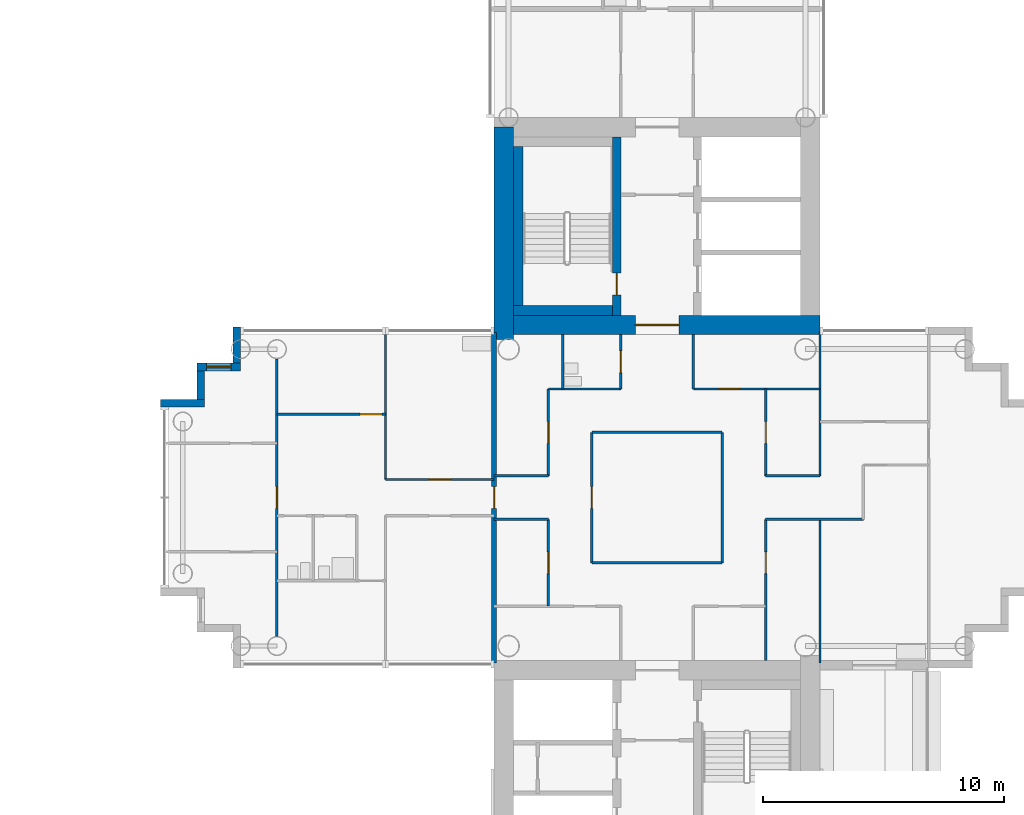
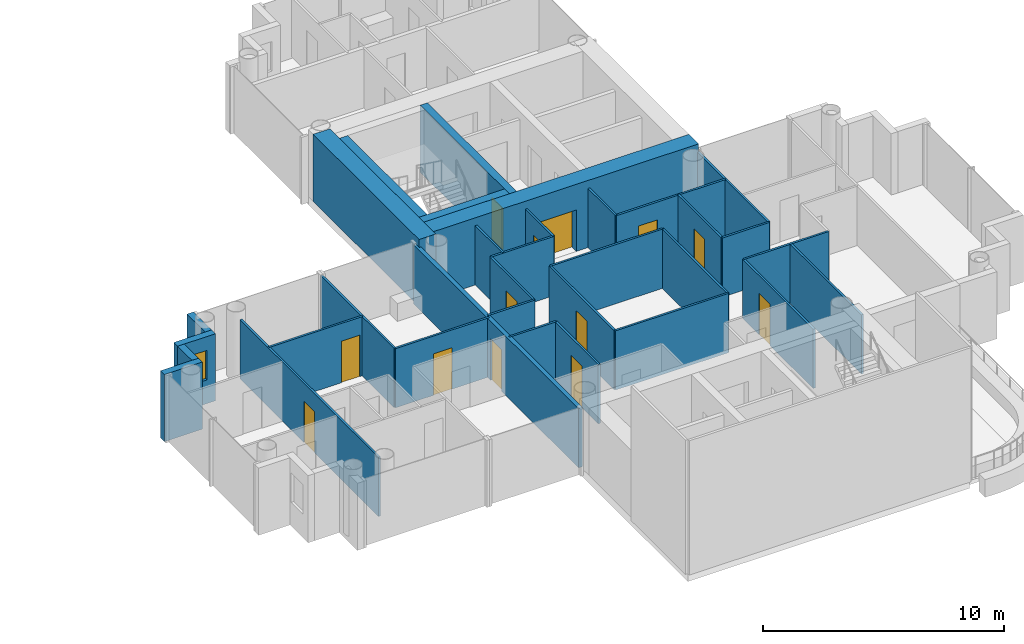
# One storey, part 11 of 20: 33 walls, 13 doors, 1 window, 14 openings.
"""IFC4 building model written with IfcOpenShell, lengths in metres."""

import ifcopenshell
import ifcopenshell.guid

model = None  # the IFC model being written
_history = None  # IfcOwnerHistory: only IFC2X3 demands one
_inside = {}  # id of a spatial element -> (the spatial element, [elements in it])
_under = {}  # id of a project, library or spatial element -> (it, [spatial elements below it])
_declared = {}  # id of a project -> (the project, [libraries it declares])
_typed = {}  # id of a type object -> (the type object, [elements of that type])
_made_of = {}  # id of a material, layer set ... -> (it, [elements and type objects made of it])


def new_model(schema):
    """Start an empty IFC model of exactly this schema.

    Asked for "IFC4X3", IfcOpenShell would pick the latest addendum, in which some entities
    have other attributes; the version numbers below select the first issue.
    IFC2X3 requires an IfcOwnerHistory on every rooted entity: one is made here for all.
    """
    global model, _history
    if schema == "IFC4X3":
        model = ifcopenshell.file(schema_version=(4, 3, 0, 0))
    else:
        model = ifcopenshell.file(schema=schema)
    _inside.clear()
    _under.clear()
    _declared.clear()
    _typed.clear()
    _made_of.clear()
    _history = None
    if model.schema == "IFC2X3":
        org = make("IfcOrganization", Name="unknown")
        user = make(
            "IfcPersonAndOrganization",
            ThePerson=make("IfcPerson", FamilyName="unknown"),
            TheOrganization=org,
        )
        app = make(
            "IfcApplication",
            ApplicationDeveloper=org,
            Version="unknown",
            ApplicationFullName="unknown",
            ApplicationIdentifier="unknown",
        )
        _history = make(
            "IfcOwnerHistory",
            OwningUser=user,
            OwningApplication=app,
            ChangeAction="ADDED",
            CreationDate=0,
        )
    return model


def make(cls, **values):
    """One entity of the class cls with the attributes given. An attribute that is None is left unset."""
    return model.create_entity(
        cls, **{name: value for name, value in values.items() if value is not None}
    )


def rooted(cls, **values):
    """An entity with a GlobalId (a new one), such as an element, a storey or a relation."""
    return make(cls, GlobalId=ifcopenshell.guid.new(), OwnerHistory=_history, **values)


def si_unit(unit_type, name, prefix=None):
    """IfcSIUnit, for example si_unit("LENGTHUNIT", "METRE", prefix="MILLI")."""
    return make("IfcSIUnit", UnitType=unit_type, Prefix=prefix, Name=name)


def assignment(units):
    """IfcUnitAssignment: the units of a project."""
    return None if units is None else make("IfcUnitAssignment", Units=units)


def point(xyz):
    """IfcCartesianPoint."""
    return None if xyz is None else make("IfcCartesianPoint", Coordinates=xyz)


def direction(xyz):
    """IfcDirection."""
    return None if xyz is None else make("IfcDirection", DirectionRatios=xyz)


def frame(location, z_axis=None, x_axis=None):
    """IfcAxis2Placement3D, a coordinate frame: its origin and axes. An axis left out is left unset."""
    return make(
        "IfcAxis2Placement3D",
        Location=point(location),
        Axis=direction(z_axis),
        RefDirection=direction(x_axis),
    )


def frame_2d(location, x_axis=None):
    """IfcAxis2Placement2D, a coordinate frame in the plane: its origin and x axis."""
    return make(
        "IfcAxis2Placement2D", Location=point(location), RefDirection=direction(x_axis)
    )


def origin():
    """The frame at (0, 0, 0) with its axes left unset."""
    return frame((0.0, 0.0, 0.0))


def place(relative_to, where):
    """IfcLocalPlacement: puts the frame where relative to a parent placement (None: the world)."""
    return make(
        "IfcLocalPlacement", PlacementRelTo=relative_to, RelativePlacement=where
    )


def context(
    kind, dimensions, precision=None, world=None, true_north=None, identifier=None
):
    """IfcGeometricRepresentationContext, for example the 3D "Model" context."""
    return make(
        "IfcGeometricRepresentationContext",
        ContextIdentifier=identifier,
        ContextType=kind,
        CoordinateSpaceDimension=dimensions,
        Precision=precision,
        WorldCoordinateSystem=world,
        TrueNorth=true_north,
    )


def subcontext(parent, identifier, kind, view, scale=None):
    """IfcGeometricRepresentationSubContext, for example "Body" below "Model"."""
    return make(
        "IfcGeometricRepresentationSubContext",
        ContextIdentifier=identifier,
        ContextType=kind,
        ParentContext=parent,
        TargetScale=scale,
        TargetView=view,
    )


def project(units=None, contexts=None):
    """IfcProject with its units and contexts."""
    return rooted(
        "IfcProject",
        Name="project",
        RepresentationContexts=contexts,
        UnitsInContext=assignment(units),
    )


def spatial(cls, under=None, at=None, **own):
    """A site, building, storey or space (cls), placed at a placement, below another one or the project."""
    s = rooted(cls, ObjectPlacement=at, **own)
    if under is not None:
        _under.setdefault(under.id(), (under, []))[1].append(s)
    return s


def profile(cls, at=None, kind="AREA", **sizes):
    """A parametric profile (cls). Its sizes go by their IFC names, for example OverallWidth=200.0."""
    return make(cls, ProfileType=kind, Position=at, **sizes)


def rectangle(**sizes):
    """IfcRectangleProfileDef."""
    return profile("IfcRectangleProfileDef", **sizes)


def extrude(swept, where, along, depth):
    """IfcExtrudedAreaSolid: the profile swept, set in the frame where, extruded along a direction by depth."""
    return make(
        "IfcExtrudedAreaSolid",
        SweptArea=swept,
        Position=where,
        ExtrudedDirection=direction(along),
        Depth=depth,
    )


def shape(context_of_items, identifier, shape_type, items):
    """IfcShapeRepresentation: the items that make up one representation, for example the "Body"."""
    return make(
        "IfcShapeRepresentation",
        ContextOfItems=context_of_items,
        RepresentationIdentifier=identifier,
        RepresentationType=shape_type,
        Items=items,
    )


def material(Name=None, Category=None):
    """IfcMaterial."""
    return make("IfcMaterial", Name=Name, Category=Category)


def layer(
    of_material, thickness, ventilated=None, Name=None, Category=None, Priority=None
):
    """IfcMaterialLayer: one layer of a wall or slab, of a material (None: an air gap)."""
    return make(
        "IfcMaterialLayer",
        Material=of_material,
        LayerThickness=thickness,
        IsVentilated=ventilated,
        Name=Name,
        Category=Category,
        Priority=Priority,
    )


def layer_set(layers, Name=None):
    """IfcMaterialLayerSet."""
    return make("IfcMaterialLayerSet", MaterialLayers=layers, LayerSetName=Name)


def made_of(thing, what):
    """Note that an element or type object is made of a material, layer set ...; save() writes the relation."""
    if what is not None:
        _made_of.setdefault(what.id(), (what, []))[1].append(thing)
    return thing


def type_object(cls, material=None, **own):
    """A type object (cls), such as IfcWallType, which elements share."""
    return made_of(rooted(cls, **own), material)


def element(
    cls,
    number,
    at=None,
    inside=None,
    cuts=None,
    type_object=None,
    material=None,
    context=None,
    identifier="Body",
    shape_type=None,
    held_by="IfcProductDefinitionShape",
    body=None,
    shapes=None,
    **own,
):
    """One element of the class cls, such as IfcWall. Its Tag is "e" and its number.

    at: its placement. inside: the storey or other place that contains it. cuts: it is an
    opening in that element (IfcRelVoidsElement). A single representation is given by context,
    identifier, shape_type and body (its items); several are given by shapes. held_by: the class
    of the entity that holds the representations. save() writes the other relations.
    """
    e = rooted(cls, Tag="e%d" % number, ObjectPlacement=at, **own)
    if body is not None:
        shapes = [shape(context, identifier, shape_type, body)]
    if shapes is not None:
        e.Representation = make(held_by, Representations=shapes)
    if inside is not None:
        _inside.setdefault(inside.id(), (inside, []))[1].append(e)
    if cuts is not None:
        rooted(
            "IfcRelVoidsElement", RelatingBuildingElement=cuts, RelatedOpeningElement=e
        )
    if type_object is not None:
        _typed.setdefault(type_object.id(), (type_object, []))[1].append(e)
    return made_of(e, material)


def fill(opening, filler):
    """IfcRelFillsElement: the door or window that sits in an opening."""
    return rooted(
        "IfcRelFillsElement",
        RelatingOpeningElement=opening,
        RelatedBuildingElement=filler,
    )


def aggregate(whole, parts):
    """IfcRelAggregates: a whole, such as a stair, and the parts it consists of."""
    return rooted("IfcRelAggregates", RelatingObject=whole, RelatedObjects=parts)


def save(model, path):
    """Write the relations noted so far, then the file.

    IfcRelAggregates (storeys below a building ...), IfcRelContainedInSpatialStructure (elements
    in a storey), IfcRelDefinesByType, IfcRelAssociatesMaterial and IfcRelDeclares: one each for
    every whole, place, type object, material and project.
    """
    for whole, parts in _under.values():
        aggregate(whole, parts)
    for where, things in _inside.values():
        rooted(
            "IfcRelContainedInSpatialStructure",
            RelatedElements=things,
            RelatingStructure=where,
        )
    for kind, things in _typed.values():
        rooted("IfcRelDefinesByType", RelatedObjects=things, RelatingType=kind)
    for what, things in _made_of.values():
        rooted("IfcRelAssociatesMaterial", RelatedObjects=things, RelatingMaterial=what)
    for by, libraries in _declared.values():
        rooted("IfcRelDeclares", RelatingContext=by, RelatedDefinitions=libraries)
    model.write(path)


model = new_model("IFC4")

# Units and contexts
model_context = context("Model", 3, precision=1e-05, world=origin(), true_north=direction((0.0, 1.0)))
body_context = subcontext(model_context, "Body", "Model", "MODEL_VIEW")
ifc_project = project(units=[si_unit("LENGTHUNIT", "METRE"), si_unit("AREAUNIT", "SQUARE_METRE"), si_unit("VOLUMEUNIT", "CUBIC_METRE"), si_unit("PLANEANGLEUNIT", "RADIAN"), si_unit("MASSUNIT", "GRAM", prefix="KILO")], contexts=[model_context])

# Site, building, storey
site_placement = place(None, origin())
site = spatial("IfcSite", under=ifc_project, at=site_placement, CompositionType="ELEMENT")
building_placement = place(site_placement, origin())
building = spatial("IfcBuilding", under=site, at=building_placement, Name="Ipe Terrace Towers", CompositionType="ELEMENT")
storey_placement = place(building_placement, frame((0.0, 0.0, 154.10009765625)))
storey = spatial("IfcBuildingStorey", under=building, at=storey_placement, Name="L42", CompositionType="ELEMENT", Elevation=154.10009765625)

# Wall
ifc_material_1 = material(Name="Concrete C40/50 with buff precast cladding", Category="concrete")
ifc_layer_1 = layer(ifc_material_1, 0.320068359375)
ifc_layer_set_1 = layer_set([ifc_layer_1], Name="BUFF CLADDING WALL 320")
wall_type_1 = type_object("IfcWallType", Name="BUFF CLADDING WALL 320", PredefinedType="STANDARD", material=ifc_layer_set_1)
wall_1_placement = place(storey_placement, frame((18.590087890625, 7.070068359375, -0.300048828125), z_axis=(0.0, 0.0, 1.0), x_axis=(0.0, -1.0, 0.0)))
element("IfcWall", 1, at=wall_1_placement, inside=storey, type_object=wall_type_1, Name="T2-W-L42-30a wall", PredefinedType="STANDARD", context=body_context, shape_type="SweptSolid", body=[
    extrude(rectangle(XDim=1.5, YDim=0.320068359375, at=frame_2d((0.75, 0.0))), origin(), (0.0, 0.0, 1.0), 3.39990234375),
])

# Wall, opening, window
wall_2_placement = place(storey_placement, frame((18.75, 5.409912109375, -0.300048828125), z_axis=(0.0, 0.0, 1.0), x_axis=(-1.0, 0.0, 0.0)))
wall_2 = element("IfcWall", 2, at=wall_2_placement, inside=storey, type_object=wall_type_1, Name="T2-W-L42-31a wall", PredefinedType="STANDARD", context=body_context, shape_type="SweptSolid", body=[
    extrude(rectangle(XDim=1.820068359375, YDim=0.320068359375, at=frame_2d((0.91015625, 0.0))), origin(), (0.0, 0.0, 1.0), 3.39990234375),
])
opening_1_placement = place(wall_2_placement, frame((0.409912109375, 0.0, 1.199951171875)))
opening_1 = element("IfcOpeningElement", 3, at=opening_1_placement, cuts=wall_2, Name="Opening T2-W-05-L42-02", PredefinedType="OPENING", context=body_context, shape_type="SweptSolid", body=[
    extrude(rectangle(XDim=1.0, YDim=1.5, at=frame_2d((0.5, 0.75))), frame((0.0, 0.169921875, 0.0), z_axis=(0.0, -1.0, 0.0), x_axis=(1.0, 0.0, 0.0)), (0.0, 0.0, 1.0), 0.340087890625),
])
ifc_material_2 = material(Name="Glass, clear laminated", Category="glass")
window_type = type_object("IfcWindowType", Name="DWELLING WINDOW 1000 x 1500", PartitioningType="SINGLE_PANEL", PredefinedType="WINDOW", material=ifc_material_2)
window_placement = place(opening_1_placement, origin())
window = element("IfcWindow", 4, at=window_placement, inside=storey, type_object=window_type, Name="W-05 window", OverallHeight=1.5, OverallWidth=1.0, PartitioningType="SINGLE_PANEL", PredefinedType="WINDOW", context=body_context, shape_type="SweptSolid", body=[
    extrude(rectangle(XDim=1.0, YDim=1.5, at=frame_2d((0.5, 0.75))), frame((0.0, 0.030029296875, 0.0), z_axis=(0.0, -1.0, 0.0), x_axis=(1.0, 0.0, 0.0)), (0.0, 0.0, 1.0), 0.06005859375),
])
fill(opening_1, window)

# Walls
wall_3_placement = place(storey_placement, frame((17.090087890625, 5.25, -0.300048828125), z_axis=(0.0, 0.0, 1.0), x_axis=(0.0, -1.0, 0.0)))
element("IfcWall", 5, at=wall_3_placement, inside=storey, type_object=wall_type_1, Name="T2-W-L42-32a wall", PredefinedType="STANDARD", context=body_context, shape_type="SweptSolid", body=[
    extrude(rectangle(XDim=1.179931640625, YDim=0.320068359375, at=frame_2d((0.58984375, 0.0))), origin(), (0.0, 0.0, 1.0), 3.39990234375),
])
wall_4_placement = place(storey_placement, frame((17.25, 3.909912109375, -0.300048828125), z_axis=(0.0, 0.0, 1.0), x_axis=(-1.0, 0.0, 0.0)))
element("IfcWall", 6, at=wall_4_placement, inside=storey, type_object=wall_type_1, Name="T2-W-L42-33a wall", PredefinedType="STANDARD", context=body_context, shape_type="SweptSolid", body=[
    extrude(rectangle(XDim=1.820068359375, YDim=0.320068359375, at=frame_2d((0.91015625, 0.0))), origin(), (0.0, 0.0, 1.0), 3.39990234375),
])
ifc_material_3 = material(Name="Gypsum board partition", Category="plasterboard")
ifc_layer_2 = layer(ifc_material_3, 0.10009765625)
ifc_layer_set_2 = layer_set([ifc_layer_2], Name="Gypsum board partition 100 mm")
wall_type_2 = type_object("IfcWallType", Name="Gypsum board partition 100 mm", PredefinedType="PARTITIONING", material=ifc_layer_set_2)
wall_5_placement = place(storey_placement, frame((38.699951171875, -2.699951171875, 0.0), z_axis=(0.0, 0.0, 1.0), x_axis=(-1.0, 0.0, 0.0)))
element("IfcWall", 7, at=wall_5_placement, inside=storey, type_object=wall_type_2, Name="Gypsum board partition T2 L42 W04", PredefinedType="PARTITIONING", context=body_context, shape_type="SweptSolid", body=[
    extrude(rectangle(XDim=5.39990234375, YDim=0.10009765625, at=frame_2d((2.699951171875, 0.0))), origin(), (0.0, 0.0, 1.0), 3.0),
])
wall_6_placement = place(storey_placement, frame((44.550048828125, -0.89990234375, 0.0), z_axis=(0.0, 0.0, 1.0), x_axis=(-1.0, 0.0, 0.0)))
element("IfcWall", 8, at=wall_6_placement, inside=storey, type_object=wall_type_2, Name="Gypsum board partition T2 L42 W06", PredefinedType="PARTITIONING", context=body_context, shape_type="SweptSolid", body=[
    extrude(rectangle(XDim=4.050048828125, YDim=0.10009765625, at=frame_2d((2.02490234375, 0.0))), origin(), (0.0, 0.0, 1.0), 3.0),
])
wall_7_placement = place(storey_placement, frame((31.5, -0.89990234375, 0.0), z_axis=(0.0, 0.0, 1.0), x_axis=(-1.0, 0.0, 0.0)))
element("IfcWall", 9, at=wall_7_placement, inside=storey, type_object=wall_type_2, Name="Gypsum board partition T2 L42 W07", PredefinedType="PARTITIONING", context=body_context, shape_type="SweptSolid", body=[
    extrude(rectangle(XDim=2.25, YDim=0.10009765625, at=frame_2d((1.125, 0.0))), origin(), (0.0, 0.0, 1.0), 3.0),
])

# Wall, opening, door
wall_8_placement = place(storey_placement, frame((29.25, 0.75, 0.0), z_axis=(0.0, 0.0, 1.0), x_axis=(-1.0, 0.0, 0.0)))
wall_8 = element("IfcWall", 10, at=wall_8_placement, inside=storey, type_object=wall_type_2, Name="Gypsum board partition T2 L42 W10", PredefinedType="PARTITIONING", context=body_context, shape_type="SweptSolid", body=[
    extrude(rectangle(XDim=4.5, YDim=0.10009765625, at=frame_2d((2.25, 0.0))), origin(), (0.0, 0.0, 1.0), 3.0),
])
opening_2_placement = place(wall_8_placement, frame((1.800048828125, 0.0, 0.0)))
opening_2 = element("IfcOpeningElement", 11, at=opening_2_placement, cuts=wall_8, Name="Opening T2-Z3C-11", PredefinedType="OPENING", context=body_context, shape_type="SweptSolid", body=[
    extrude(rectangle(XDim=0.89990234375, YDim=2.10009765625, at=frame_2d((0.449951171875, 1.050048828125))), frame((0.0, 0.06005859375, 0.0), z_axis=(0.0, -1.0, 0.0), x_axis=(1.0, 0.0, 0.0)), (0.0, 0.0, 1.0), 0.1201171875),
])
ifc_material_4 = material(Name="Timber door leaf", Category="wood")
door_type_1 = type_object("IfcDoorType", Name="Lounge door 900 x 2100", OperationType="NOTDEFINED", PredefinedType="DOOR", material=ifc_material_4)
door_1_placement = place(opening_2_placement, origin())
door_1 = element("IfcDoor", 12, at=door_1_placement, inside=storey, type_object=door_type_1, Name="Lounge door T2-Z3C-11", OperationType="SINGLE_SWING_RIGHT", OverallHeight=2.10009765625, OverallWidth=0.89990234375, PredefinedType="DOOR", context=body_context, shape_type="SweptSolid", body=[
    extrude(rectangle(XDim=0.89990234375, YDim=2.10009765625, at=frame_2d((0.449951171875, 1.050048828125))), frame((0.0, 0.02490234375, 0.0), z_axis=(0.0, -1.0, 0.0), x_axis=(1.0, 0.0, 0.0)), (0.0, 0.0, 1.0), 0.050048828125),
])
fill(opening_2, door_1)

# Walls
for number, where, z_axis, x_axis, name in (
    (13, (42.75, 0.89990234375, 0.0), (0.0, 0.0, 1.0), (-1.0, 0.0, 0.0), "Gypsum board partition T2 L42 W11"),
    (14, (31.5, 0.89990234375, 0.0), (0.0, 0.0, 1.0), (-1.0, 0.0, 0.0), "Gypsum board partition T2 L42 W12"),
):
    element("IfcWall", number, at=place(storey_placement, frame(where, z_axis=z_axis, x_axis=x_axis)), inside=storey, type_object=wall_type_2, Name=name, PredefinedType="PARTITIONING", context=body_context, shape_type="SweptSolid", body=[
        extrude(rectangle(XDim=2.25, YDim=0.10009765625, at=frame_2d((1.125, 0.0))), origin(), (0.0, 0.0, 1.0), 3.0),
    ])
wall_9_placement = place(storey_placement, frame((38.699951171875, 2.699951171875, 0.0), z_axis=(0.0, 0.0, 1.0), x_axis=(-1.0, 0.0, 0.0)))
element("IfcWall", 15, at=wall_9_placement, inside=storey, type_object=wall_type_2, Name="Gypsum board partition T2 L42 W15", PredefinedType="PARTITIONING", context=body_context, shape_type="SweptSolid", body=[
    extrude(rectangle(XDim=5.39990234375, YDim=0.10009765625, at=frame_2d((2.699951171875, 0.0))), origin(), (0.0, 0.0, 1.0), 3.0),
])

# Wall, opening, door
wall_10_placement = place(storey_placement, frame((24.75, 3.449951171875, 0.0), z_axis=(0.0, 0.0, 1.0), x_axis=(-1.0, 0.0, 0.0)))
wall_10 = element("IfcWall", 16, at=wall_10_placement, inside=storey, type_object=wall_type_2, Name="Gypsum board partition T2 L42 W17", PredefinedType="PARTITIONING", context=body_context, shape_type="SweptSolid", body=[
    extrude(rectangle(XDim=4.5, YDim=0.10009765625, at=frame_2d((2.25, 0.0))), origin(), (0.0, 0.0, 1.0), 3.0),
])
opening_3_placement = place(wall_10_placement, frame((0.14990234375, 0.0, 0.0)))
opening_3 = element("IfcOpeningElement", 17, at=opening_3_placement, cuts=wall_10, Name="Opening T2-Z3C-16", PredefinedType="OPENING", context=body_context, shape_type="SweptSolid", body=[
    extrude(rectangle(XDim=0.89990234375, YDim=2.10009765625, at=frame_2d((0.449951171875, 1.050048828125))), frame((0.0, 0.06005859375, 0.0), z_axis=(0.0, -1.0, 0.0), x_axis=(1.0, 0.0, 0.0)), (0.0, 0.0, 1.0), 0.1201171875),
])
ifc_material_5 = material(Name="Timber door leaf", Category="wood")
door_type_2 = type_object("IfcDoorType", Name="Bedroom door 900 x 2100", OperationType="NOTDEFINED", PredefinedType="DOOR", material=ifc_material_5)
door_2_placement = place(opening_3_placement, origin())
door_2 = element("IfcDoor", 18, at=door_2_placement, inside=storey, type_object=door_type_2, Name="Bedroom door T2-Z3C-16", OperationType="SINGLE_SWING_LEFT", OverallHeight=2.10009765625, OverallWidth=0.89990234375, PredefinedType="DOOR", context=body_context, shape_type="SweptSolid", body=[
    extrude(rectangle(XDim=0.89990234375, YDim=2.10009765625, at=frame_2d((0.449951171875, 1.050048828125))), frame((0.0, 0.02490234375, 0.0), z_axis=(0.0, -1.0, 0.0), x_axis=(1.0, 0.0, 0.0)), (0.0, 0.0, 1.0), 0.050048828125),
])
fill(opening_3, door_2)

wall_11_placement = place(storey_placement, frame((42.75, 4.5, 0.0), z_axis=(0.0, 0.0, 1.0), x_axis=(-1.0, 0.0, 0.0)))
wall_11 = element("IfcWall", 19, at=wall_11_placement, inside=storey, type_object=wall_type_2, Name="Gypsum board partition T2 L42 W18", PredefinedType="PARTITIONING", context=body_context, shape_type="SweptSolid", body=[
    extrude(rectangle(XDim=5.25, YDim=0.10009765625, at=frame_2d((2.625, 0.0))), origin(), (0.0, 0.0, 1.0), 3.0),
])
opening_4_placement = place(wall_11_placement, frame((3.300048828125, 0.0, 0.0)))
opening_4 = element("IfcOpeningElement", 20, at=opening_4_placement, cuts=wall_11, Name="Opening T2-Z3C-09", PredefinedType="OPENING", context=body_context, shape_type="SweptSolid", body=[
    extrude(rectangle(XDim=0.89990234375, YDim=2.10009765625, at=frame_2d((0.449951171875, 1.050048828125))), frame((0.0, 0.06005859375, 0.0), z_axis=(0.0, -1.0, 0.0), x_axis=(1.0, 0.0, 0.0)), (0.0, 0.0, 1.0), 0.1201171875),
])
door_3_placement = place(opening_4_placement, origin())
door_3 = element("IfcDoor", 21, at=door_3_placement, inside=storey, type_object=door_type_1, Name="Lounge door T2-Z3C-09", OperationType="SINGLE_SWING_RIGHT", OverallHeight=2.10009765625, OverallWidth=0.89990234375, PredefinedType="DOOR", context=body_context, shape_type="SweptSolid", body=[
    extrude(rectangle(XDim=0.89990234375, YDim=2.10009765625, at=frame_2d((0.449951171875, 1.050048828125))), frame((0.0, 0.02490234375, 0.0), z_axis=(0.0, -1.0, 0.0), x_axis=(1.0, 0.0, 0.0)), (0.0, 0.0, 1.0), 0.050048828125),
])
fill(opening_4, door_3)

# Walls
wall_12_placement = place(storey_placement, frame((34.5, 4.5, 0.0), z_axis=(0.0, 0.0, 1.0), x_axis=(-1.0, 0.0, 0.0)))
element("IfcWall", 22, at=wall_12_placement, inside=storey, type_object=wall_type_2, Name="Gypsum board partition T2 L42 W19", PredefinedType="PARTITIONING", context=body_context, shape_type="SweptSolid", body=[
    extrude(rectangle(XDim=3.0, YDim=0.10009765625, at=frame_2d((1.5, 0.0))), origin(), (0.0, 0.0, 1.0), 3.0),
])
for number, where, z_axis, x_axis, name in (
    (23, (42.75, -6.85009765625, 0.0), (0.0, 0.0, 1.0), (0.0, 1.0, 0.0), "Gypsum board partition T2 L42 W24"),
    (24, (42.75, 0.89990234375, 0.0), (0.0, 0.0, 1.0), (0.0, 1.0, 0.0), "Gypsum board partition T2 L42 W25"),
):
    element("IfcWall", number, at=place(storey_placement, frame(where, z_axis=z_axis, x_axis=x_axis)), inside=storey, type_object=wall_type_2, Name=name, PredefinedType="PARTITIONING", context=body_context, shape_type="SweptSolid", body=[
        extrude(rectangle(XDim=5.9501953125, YDim=0.10009765625, at=frame_2d((2.97509765625, 0.0))), origin(), (0.0, 0.0, 1.0), 3.0),
    ])

# Wall, opening, door
wall_13_placement = place(storey_placement, frame((40.5, -6.75, 0.0), z_axis=(0.0, 0.0, 1.0), x_axis=(0.0, 1.0, 0.0)))
wall_13 = element("IfcWall", 25, at=wall_13_placement, inside=storey, type_object=wall_type_2, Name="Gypsum board partition T2 L42 W26", PredefinedType="PARTITIONING", context=body_context, shape_type="SweptSolid", body=[
    extrude(rectangle(XDim=5.85009765625, YDim=0.10009765625, at=frame_2d((2.925048828125, 0.0))), origin(), (0.0, 0.0, 1.0), 3.0),
])
opening_5_placement = place(wall_13_placement, frame((3.60009765625, 0.0, 0.0)))
opening_5 = element("IfcOpeningElement", 26, at=opening_5_placement, cuts=wall_13, Name="Opening T2-Z3C-06", PredefinedType="OPENING", context=body_context, shape_type="SweptSolid", body=[
    extrude(rectangle(XDim=0.89990234375, YDim=2.10009765625, at=frame_2d((0.449951171875, 1.050048828125))), frame((0.0, 0.06005859375, 0.0), z_axis=(0.0, -1.0, 0.0), x_axis=(1.0, 0.0, 0.0)), (0.0, 0.0, 1.0), 0.1201171875),
])
door_4_placement = place(opening_5_placement, origin())
door_4 = element("IfcDoor", 27, at=door_4_placement, inside=storey, type_object=door_type_1, Name="Lounge door T2-Z3C-06", OperationType="SINGLE_SWING_RIGHT", OverallHeight=2.10009765625, OverallWidth=0.89990234375, PredefinedType="DOOR", context=body_context, shape_type="SweptSolid", body=[
    extrude(rectangle(XDim=0.89990234375, YDim=2.10009765625, at=frame_2d((0.449951171875, 1.050048828125))), frame((0.0, 0.02490234375, 0.0), z_axis=(0.0, -1.0, 0.0), x_axis=(1.0, 0.0, 0.0)), (0.0, 0.0, 1.0), 0.050048828125),
])
fill(opening_5, door_4)

wall_14_placement = place(storey_placement, frame((40.5, 0.89990234375, 0.0), z_axis=(0.0, 0.0, 1.0), x_axis=(0.0, 1.0, 0.0)))
wall_14 = element("IfcWall", 28, at=wall_14_placement, inside=storey, type_object=wall_type_2, Name="Gypsum board partition T2 L42 W27", PredefinedType="PARTITIONING", context=body_context, shape_type="SweptSolid", body=[
    extrude(rectangle(XDim=3.60009765625, YDim=0.10009765625, at=frame_2d((1.800048828125, 0.0))), origin(), (0.0, 0.0, 1.0), 3.0),
])
opening_6_placement = place(wall_14_placement, frame((1.35009765625, 0.0, 0.0)))
opening_6 = element("IfcOpeningElement", 29, at=opening_6_placement, cuts=wall_14, Name="Opening T2-Z3C-08", PredefinedType="OPENING", context=body_context, shape_type="SweptSolid", body=[
    extrude(rectangle(XDim=0.89990234375, YDim=2.10009765625, at=frame_2d((0.449951171875, 1.050048828125))), frame((0.0, 0.06005859375, 0.0), z_axis=(0.0, -1.0, 0.0), x_axis=(1.0, 0.0, 0.0)), (0.0, 0.0, 1.0), 0.1201171875),
])
door_5_placement = place(opening_6_placement, origin())
door_5 = element("IfcDoor", 30, at=door_5_placement, inside=storey, type_object=door_type_1, Name="Lounge door T2-Z3C-08", OperationType="SINGLE_SWING_RIGHT", OverallHeight=2.10009765625, OverallWidth=0.89990234375, PredefinedType="DOOR", context=body_context, shape_type="SweptSolid", body=[
    extrude(rectangle(XDim=0.89990234375, YDim=2.10009765625, at=frame_2d((0.449951171875, 1.050048828125))), frame((0.0, 0.02490234375, 0.0), z_axis=(0.0, -1.0, 0.0), x_axis=(1.0, 0.0, 0.0)), (0.0, 0.0, 1.0), 0.050048828125),
])
fill(opening_6, door_5)

# Walls
wall_15_placement = place(storey_placement, frame((38.699951171875, -2.699951171875, 0.0), z_axis=(0.0, 0.0, 1.0), x_axis=(0.0, 1.0, 0.0)))
element("IfcWall", 31, at=wall_15_placement, inside=storey, type_object=wall_type_2, Name="Gypsum board partition T2 L42 W28", PredefinedType="PARTITIONING", context=body_context, shape_type="SweptSolid", body=[
    extrude(rectangle(XDim=5.39990234375, YDim=0.10009765625, at=frame_2d((2.699951171875, 0.0))), origin(), (0.0, 0.0, 1.0), 3.0),
])
wall_16_placement = place(storey_placement, frame((37.5, 4.5, 0.0), z_axis=(0.0, 0.0, 1.0), x_axis=(0.0, 1.0, 0.0)))
element("IfcWall", 32, at=wall_16_placement, inside=storey, type_object=wall_type_2, Name="Gypsum board partition T2 L42 W31", PredefinedType="PARTITIONING", context=body_context, shape_type="SweptSolid", body=[
    extrude(rectangle(XDim=2.25, YDim=0.10009765625, at=frame_2d((1.125, 0.0))), origin(), (0.0, 0.0, 1.0), 3.0),
])

# Wall, opening, door
wall_17_placement = place(storey_placement, frame((34.5, 4.5, 0.0), z_axis=(0.0, 0.0, 1.0), x_axis=(0.0, 1.0, 0.0)))
wall_17 = element("IfcWall", 33, at=wall_17_placement, inside=storey, type_object=wall_type_2, Name="Gypsum board partition T2 L42 W35", PredefinedType="PARTITIONING", context=body_context, shape_type="SweptSolid", body=[
    extrude(rectangle(XDim=2.25, YDim=0.10009765625, at=frame_2d((1.125, 0.0))), origin(), (0.0, 0.0, 1.0), 3.0),
])
opening_7_placement = place(wall_17_placement, frame((0.675048828125, 0.0, 0.0)))
opening_7 = element("IfcOpeningElement", 34, at=opening_7_placement, cuts=wall_17, Name="Opening T2-Z3C-02", PredefinedType="OPENING", context=body_context, shape_type="SweptSolid", body=[
    extrude(rectangle(XDim=0.89990234375, YDim=2.10009765625, at=frame_2d((0.449951171875, 1.050048828125))), frame((0.0, 0.06005859375, 0.0), z_axis=(0.0, -1.0, 0.0), x_axis=(1.0, 0.0, 0.0)), (0.0, 0.0, 1.0), 0.1201171875),
])
ifc_material_6 = material(Name="Timber door leaf", Category="wood")
door_type_3 = type_object("IfcDoorType", Name="Bathroom door 900 x 2100", OperationType="NOTDEFINED", PredefinedType="DOOR", material=ifc_material_6)
door_6_placement = place(opening_7_placement, origin())
door_6 = element("IfcDoor", 35, at=door_6_placement, inside=storey, type_object=door_type_3, Name="Bathroom door T2-Z3C-02", OperationType="SINGLE_SWING_LEFT", OverallHeight=2.10009765625, OverallWidth=0.89990234375, PredefinedType="DOOR", context=body_context, shape_type="SweptSolid", body=[
    extrude(rectangle(XDim=0.89990234375, YDim=2.10009765625, at=frame_2d((0.449951171875, 1.050048828125))), frame((0.0, 0.02490234375, 0.0), z_axis=(0.0, -1.0, 0.0), x_axis=(1.0, 0.0, 0.0)), (0.0, 0.0, 1.0), 0.050048828125),
])
fill(opening_7, door_6)

wall_18_placement = place(storey_placement, frame((33.300048828125, -2.699951171875, 0.0), z_axis=(0.0, 0.0, 1.0), x_axis=(0.0, 1.0, 0.0)))
wall_18 = element("IfcWall", 36, at=wall_18_placement, inside=storey, type_object=wall_type_2, Name="Gypsum board partition T2 L42 W38", PredefinedType="PARTITIONING", context=body_context, shape_type="SweptSolid", body=[
    extrude(rectangle(XDim=5.39990234375, YDim=0.10009765625, at=frame_2d((2.699951171875, 0.0))), origin(), (0.0, 0.0, 1.0), 3.0),
])
opening_8_placement = place(wall_18_placement, frame((2.25, 0.0, 0.0)))
opening_8 = element("IfcOpeningElement", 37, at=opening_8_placement, cuts=wall_18, Name="Opening T2-Z3C-01", PredefinedType="OPENING", context=body_context, shape_type="SweptSolid", body=[
    extrude(rectangle(XDim=0.89990234375, YDim=2.10009765625, at=frame_2d((0.449951171875, 1.050048828125))), frame((0.0, 0.06005859375, 0.0), z_axis=(0.0, -1.0, 0.0), x_axis=(1.0, 0.0, 0.0)), (0.0, 0.0, 1.0), 0.1201171875),
])
door_7_placement = place(opening_8_placement, origin())
door_7 = element("IfcDoor", 38, at=door_7_placement, inside=storey, type_object=door_type_1, Name="Lounge door T2-Z3C-01", OperationType="SINGLE_SWING_RIGHT", OverallHeight=2.10009765625, OverallWidth=0.89990234375, PredefinedType="DOOR", context=body_context, shape_type="SweptSolid", body=[
    extrude(rectangle(XDim=0.89990234375, YDim=2.10009765625, at=frame_2d((0.449951171875, 1.050048828125))), frame((0.0, 0.02490234375, 0.0), z_axis=(0.0, -1.0, 0.0), x_axis=(1.0, 0.0, 0.0)), (0.0, 0.0, 1.0), 0.050048828125),
])
fill(opening_8, door_7)

# Wall
wall_19_placement = place(storey_placement, frame((32.10009765625, 4.5, 0.0), z_axis=(0.0, 0.0, 1.0), x_axis=(0.0, 1.0, 0.0)))
element("IfcWall", 39, at=wall_19_placement, inside=storey, type_object=wall_type_2, Name="Gypsum board partition T2 L42 W39", PredefinedType="PARTITIONING", context=body_context, shape_type="SweptSolid", body=[
    extrude(rectangle(XDim=2.25, YDim=0.10009765625, at=frame_2d((1.125, 0.0))), origin(), (0.0, 0.0, 1.0), 3.0),
])

# Wall, opening, door
wall_20_placement = place(storey_placement, frame((31.5, -4.5, 0.0), z_axis=(0.0, 0.0, 1.0), x_axis=(0.0, 1.0, 0.0)))
wall_20 = element("IfcWall", 40, at=wall_20_placement, inside=storey, type_object=wall_type_2, Name="Gypsum board partition T2 L42 W40", PredefinedType="PARTITIONING", context=body_context, shape_type="SweptSolid", body=[
    extrude(rectangle(XDim=3.60009765625, YDim=0.10009765625, at=frame_2d((1.800048828125, 0.0))), origin(), (0.0, 0.0, 1.0), 3.0),
])
opening_9_placement = place(wall_20_placement, frame((1.35009765625, 0.0, 0.0)))
opening_9 = element("IfcOpeningElement", 41, at=opening_9_placement, cuts=wall_20, Name="Opening T2-Z3C-04", PredefinedType="OPENING", context=body_context, shape_type="SweptSolid", body=[
    extrude(rectangle(XDim=0.89990234375, YDim=2.10009765625, at=frame_2d((0.449951171875, 1.050048828125))), frame((0.0, 0.06005859375, 0.0), z_axis=(0.0, -1.0, 0.0), x_axis=(1.0, 0.0, 0.0)), (0.0, 0.0, 1.0), 0.1201171875),
])
door_8_placement = place(opening_9_placement, origin())
door_8 = element("IfcDoor", 42, at=door_8_placement, inside=storey, type_object=door_type_1, Name="Lounge door T2-Z3C-04", OperationType="SINGLE_SWING_RIGHT", OverallHeight=2.10009765625, OverallWidth=0.89990234375, PredefinedType="DOOR", context=body_context, shape_type="SweptSolid", body=[
    extrude(rectangle(XDim=0.89990234375, YDim=2.10009765625, at=frame_2d((0.449951171875, 1.050048828125))), frame((0.0, 0.02490234375, 0.0), z_axis=(0.0, -1.0, 0.0), x_axis=(1.0, 0.0, 0.0)), (0.0, 0.0, 1.0), 0.050048828125),
])
fill(opening_9, door_8)

wall_21_placement = place(storey_placement, frame((31.5, 0.89990234375, 0.0), z_axis=(0.0, 0.0, 1.0), x_axis=(0.0, 1.0, 0.0)))
wall_21 = element("IfcWall", 43, at=wall_21_placement, inside=storey, type_object=wall_type_2, Name="Gypsum board partition T2 L42 W41", PredefinedType="PARTITIONING", context=body_context, shape_type="SweptSolid", body=[
    extrude(rectangle(XDim=3.60009765625, YDim=0.10009765625, at=frame_2d((1.800048828125, 0.0))), origin(), (0.0, 0.0, 1.0), 3.0),
])
opening_10_placement = place(wall_21_placement, frame((1.35009765625, 0.0, 0.0)))
opening_10 = element("IfcOpeningElement", 44, at=opening_10_placement, cuts=wall_21, Name="Opening T2-Z3C-03", PredefinedType="OPENING", context=body_context, shape_type="SweptSolid", body=[
    extrude(rectangle(XDim=0.89990234375, YDim=2.10009765625, at=frame_2d((0.449951171875, 1.050048828125))), frame((0.0, 0.06005859375, 0.0), z_axis=(0.0, -1.0, 0.0), x_axis=(1.0, 0.0, 0.0)), (0.0, 0.0, 1.0), 0.1201171875),
])
door_9_placement = place(opening_10_placement, origin())
door_9 = element("IfcDoor", 45, at=door_9_placement, inside=storey, type_object=door_type_1, Name="Lounge door T2-Z3C-03", OperationType="SINGLE_SWING_LEFT", OverallHeight=2.10009765625, OverallWidth=0.89990234375, PredefinedType="DOOR", context=body_context, shape_type="SweptSolid", body=[
    extrude(rectangle(XDim=0.89990234375, YDim=2.10009765625, at=frame_2d((0.449951171875, 1.050048828125))), frame((0.0, 0.02490234375, 0.0), z_axis=(0.0, -1.0, 0.0), x_axis=(1.0, 0.0, 0.0)), (0.0, 0.0, 1.0), 0.050048828125),
])
fill(opening_10, door_9)

# Wall
wall_22_placement = place(storey_placement, frame((24.75, 0.75, 0.0), z_axis=(0.0, 0.0, 1.0), x_axis=(0.0, 1.0, 0.0)))
element("IfcWall", 46, at=wall_22_placement, inside=storey, type_object=wall_type_2, Name="Gypsum board partition T2 L42 W44", PredefinedType="PARTITIONING", context=body_context, shape_type="SweptSolid", body=[
    extrude(rectangle(XDim=6.10009765625, YDim=0.10009765625, at=frame_2d((3.050048828125, 0.0))), origin(), (0.0, 0.0, 1.0), 3.0),
])

# Wall, opening, door
wall_23_placement = place(storey_placement, frame((20.25, -5.75, 0.0), z_axis=(0.0, 0.0, 1.0), x_axis=(0.0, 1.0, 0.0)))
wall_23 = element("IfcWall", 47, at=wall_23_placement, inside=storey, type_object=wall_type_2, Name="Gypsum board partition T2 L42 W47", PredefinedType="PARTITIONING", context=body_context, shape_type="SweptSolid", body=[
    extrude(rectangle(XDim=11.5, YDim=0.10009765625, at=frame_2d((5.75, 0.0))), origin(), (0.0, 0.0, 1.0), 3.0),
])
opening_11_placement = place(wall_23_placement, frame((5.300048828125, 0.0, 0.0)))
opening_11 = element("IfcOpeningElement", 48, at=opening_11_placement, cuts=wall_23, Name="Opening T2-Z3C-17", PredefinedType="OPENING", context=body_context, shape_type="SweptSolid", body=[
    extrude(rectangle(XDim=0.89990234375, YDim=2.10009765625, at=frame_2d((0.449951171875, 1.050048828125))), frame((0.0, 0.06005859375, 0.0), z_axis=(0.0, -1.0, 0.0), x_axis=(1.0, 0.0, 0.0)), (0.0, 0.0, 1.0), 0.1201171875),
])
door_10_placement = place(opening_11_placement, origin())
door_10 = element("IfcDoor", 49, at=door_10_placement, inside=storey, type_object=door_type_1, Name="Lounge door T2-Z3C-17", OperationType="SINGLE_SWING_LEFT", OverallHeight=2.10009765625, OverallWidth=0.89990234375, PredefinedType="DOOR", context=body_context, shape_type="SweptSolid", body=[
    extrude(rectangle(XDim=0.89990234375, YDim=2.10009765625, at=frame_2d((0.449951171875, 1.050048828125))), frame((0.0, 0.02490234375, 0.0), z_axis=(0.0, -1.0, 0.0), x_axis=(1.0, 0.0, 0.0)), (0.0, 0.0, 1.0), 0.050048828125),
])
fill(opening_11, door_10)

ifc_material_7 = material(Name="Gypsum board party wall", Category="plasterboard")
ifc_layer_3 = layer(ifc_material_7, 0.199951171875)
ifc_layer_set_3 = layer_set([ifc_layer_3], Name="Gypsum board party wall 200 mm")
wall_type_3 = type_object("IfcWallType", Name="Gypsum board party wall 200 mm", PredefinedType="SOLIDWALL", material=ifc_layer_set_3)
wall_24_placement = place(storey_placement, frame((29.25, -6.85009765625, 0.0), z_axis=(0.0, 0.0, 1.0), x_axis=(0.0, 1.0, 0.0)))
wall_24 = element("IfcWall", 50, at=wall_24_placement, inside=storey, type_object=wall_type_3, Name="Gypsum board party wall T2 L42 W42", PredefinedType="SOLIDWALL", context=body_context, shape_type="SweptSolid", body=[
    extrude(rectangle(XDim=13.7001953125, YDim=0.199951171875, at=frame_2d((6.85009765625, 0.0))), origin(), (0.0, 0.0, 1.0), 3.0),
])
opening_12_placement = place(wall_24_placement, frame((6.39990234375, 0.0, 0.0)))
opening_12 = element("IfcOpeningElement", 51, at=opening_12_placement, cuts=wall_24, Name="Opening T2-Z3C-12", PredefinedType="OPENING", context=body_context, shape_type="SweptSolid", body=[
    extrude(rectangle(XDim=0.89990234375, YDim=2.10009765625, at=frame_2d((0.449951171875, 1.050048828125))), frame((0.0, 0.10986328125, 0.0), z_axis=(0.0, -1.0, 0.0), x_axis=(1.0, 0.0, 0.0)), (0.0, 0.0, 1.0), 0.219970703125),
])
ifc_material_8 = material(Name="Fire-rated timber door leaf", Category="wood")
door_type_4 = type_object("IfcDoorType", Name="Flat entrance door 900 x 2100 FD30S", OperationType="NOTDEFINED", PredefinedType="DOOR", material=ifc_material_8)
door_11_placement = place(opening_12_placement, origin())
door_11 = element("IfcDoor", 52, at=door_11_placement, inside=storey, type_object=door_type_4, Name="Flat entrance door T2-Z3C-12", OperationType="SINGLE_SWING_LEFT", OverallHeight=2.10009765625, OverallWidth=0.89990234375, PredefinedType="DOOR", context=body_context, shape_type="SweptSolid", body=[
    extrude(rectangle(XDim=0.89990234375, YDim=2.10009765625, at=frame_2d((0.449951171875, 1.050048828125))), frame((0.0, 0.02490234375, 0.0), z_axis=(0.0, -1.0, 0.0), x_axis=(1.0, 0.0, 0.0)), (0.0, 0.0, 1.0), 0.050048828125),
])
fill(opening_12, door_11)

ifc_material_9 = material(Name="Concrete C50/60", Category="concrete")
ifc_layer_4 = layer(ifc_material_9, 0.35009765625)
ifc_layer_set_4 = layer_set([ifc_layer_4], Name="RW350 CORE SPINE WALL 350 C50-60")
wall_type_4 = type_object("IfcWallType", Name="RW350 CORE SPINE WALL 350 C50-60", PredefinedType="SHEAR", material=ifc_layer_set_4)
wall_25_placement = place(storey_placement, frame((34.324951171875, 7.550048828125, 0.0), z_axis=(0.0, 0.0, 1.0), x_axis=(0.0, 1.0, 0.0)))
wall_25 = element("IfcWall", 53, at=wall_25_placement, inside=storey, type_object=wall_type_4, Name="Core spine wall T2-C1-Z3-SW1", PredefinedType="SHEAR", context=body_context, shape_type="SweptSolid", body=[
    extrude(rectangle(XDim=7.39990234375, YDim=0.35009765625, at=frame_2d((3.699951171875, 0.0))), origin(), (0.0, 0.0, 1.0), 3.39990234375),
])
opening_13_placement = place(wall_25_placement, frame((0.85009765625, 0.0, 0.0)))
opening_13 = element("IfcOpeningElement", 54, at=opening_13_placement, cuts=wall_25, Name="Opening T2C1-SD", PredefinedType="OPENING", context=body_context, shape_type="SweptSolid", body=[
    extrude(rectangle(XDim=0.89990234375, YDim=2.10009765625, at=frame_2d((0.449951171875, 1.050048828125))), frame((0.0, 0.18505859375, 0.0), z_axis=(0.0, -1.0, 0.0), x_axis=(1.0, 0.0, 0.0)), (0.0, 0.0, 1.0), 0.3701171875),
])
ifc_material_10 = material(Name="Fire-rated timber door leaf", Category="wood")
door_type_5 = type_object("IfcDoorType", Name="Stair door 900 x 2100 FD60", OperationType="NOTDEFINED", PredefinedType="DOOR", material=ifc_material_10)
door_12_placement = place(opening_13_placement, origin())
door_12 = element("IfcDoor", 55, at=door_12_placement, inside=storey, type_object=door_type_5, Name="Stair door T2C1-SD", OperationType="SINGLE_SWING_LEFT", OverallHeight=2.10009765625, OverallWidth=0.89990234375, PredefinedType="DOOR", context=body_context, shape_type="SweptSolid", body=[
    extrude(rectangle(XDim=0.89990234375, YDim=2.10009765625, at=frame_2d((0.449951171875, 1.050048828125))), frame((0.0, 0.02490234375, 0.0), z_axis=(0.0, -1.0, 0.0), x_axis=(1.0, 0.0, 0.0)), (0.0, 0.0, 1.0), 0.050048828125),
])
fill(opening_13, door_12)

# Walls
ifc_material_11 = material(Name="Concrete C50/60", Category="concrete")
ifc_layer_5 = layer(ifc_material_11, 0.39990234375)
ifc_layer_set_5 = layer_set([ifc_layer_5], Name="RW400 CORE INFILL WALL 400 C50-60")
wall_type_5 = type_object("IfcWallType", Name="RW400 CORE INFILL WALL 400 C50-60", PredefinedType="SHEAR", material=ifc_layer_set_5)
wall_26_placement = place(storey_placement, frame((30.25, 7.949951171875, 0.0), z_axis=(0.0, 0.0, 1.0), x_axis=(0.0, 1.0, 0.0)))
element("IfcWall", 56, at=wall_26_placement, inside=storey, type_object=wall_type_5, Name="Core infill wall T2-C1-back", PredefinedType="SHEAR", context=body_context, shape_type="SweptSolid", body=[
    extrude(rectangle(XDim=6.60009765625, YDim=0.39990234375, at=frame_2d((3.300048828125, 0.0))), origin(), (0.0, 0.0, 1.0), 3.39990234375),
])
wall_27_placement = place(storey_placement, frame((34.14990234375, 7.75, 0.0), z_axis=(0.0, 0.0, 1.0), x_axis=(-1.0, 0.0, 0.0)))
element("IfcWall", 57, at=wall_27_placement, inside=storey, type_object=wall_type_5, Name="Core infill wall T2-C1-near", PredefinedType="SHEAR", context=body_context, shape_type="SweptSolid", body=[
    extrude(rectangle(XDim=4.099853515625, YDim=0.39990234375, at=frame_2d((2.0498046875, 0.0))), origin(), (0.0, 0.0, 1.0), 3.39990234375),
])

# Wall, opening, door
ifc_material_12 = material(Name="Concrete C50/60", Category="concrete")
ifc_layer_6 = layer(ifc_material_12, 0.800048828125)
ifc_layer_set_6 = layer_set([ifc_layer_6], Name="RW800 CORE WALL 800 C50-60")
wall_type_6 = type_object("IfcWallType", Name="RW800 CORE WALL 800 C50-60", PredefinedType="SHEAR", material=ifc_layer_set_6)
wall_28_placement = place(storey_placement, frame((30.050048828125, 7.14990234375, 0.0), z_axis=(0.0, 0.0, 1.0), x_axis=(1.0, 0.0, 0.0)))
wall_28 = element("IfcWall", 58, at=wall_28_placement, inside=storey, type_object=wall_type_6, Name="Core wall T2-C1-Z3-W01", PredefinedType="SHEAR", context=body_context, shape_type="SweptSolid", body=[
    extrude(rectangle(XDim=12.699951171875, YDim=0.800048828125, at=frame_2d((6.35009765625, 0.0))), origin(), (0.0, 0.0, 1.0), 3.39990234375),
])
opening_14_placement = place(wall_28_placement, frame((5.050048828125, 0.0, 0.0)))
opening_14 = element("IfcOpeningElement", 59, at=opening_14_placement, cuts=wall_28, Name="Opening T2C1-ND", PredefinedType="OPENING", context=body_context, shape_type="SweptSolid", body=[
    extrude(rectangle(XDim=1.800048828125, YDim=2.10009765625, at=frame_2d((0.89990234375, 1.050048828125))), frame((0.0, 0.41015625, 0.0), z_axis=(0.0, -1.0, 0.0), x_axis=(1.0, 0.0, 0.0)), (0.0, 0.0, 1.0), 0.820068359375),
])
ifc_material_13 = material(Name="Fire-rated timber door leaf", Category="wood")
door_type_6 = type_object("IfcDoorType", Name="Fire door 1800 x 2100 FD30S", OperationType="NOTDEFINED", PredefinedType="DOOR", material=ifc_material_13)
door_13_placement = place(opening_14_placement, origin())
door_13 = element("IfcDoor", 60, at=door_13_placement, inside=storey, type_object=door_type_6, Name="Fire door T2C1-ND", OperationType="SINGLE_SWING_LEFT", OverallHeight=2.10009765625, OverallWidth=1.800048828125, PredefinedType="DOOR", context=body_context, shape_type="SweptSolid", body=[
    extrude(rectangle(XDim=1.800048828125, YDim=2.10009765625, at=frame_2d((0.89990234375, 1.050048828125))), frame((0.0, 0.02490234375, 0.0), z_axis=(0.0, -1.0, 0.0), x_axis=(1.0, 0.0, 0.0)), (0.0, 0.0, 1.0), 0.050048828125),
])
fill(opening_14, door_13)

# Wall
wall_29_placement = place(storey_placement, frame((29.64990234375, 15.347900390625, 0.0), z_axis=(0.0, 0.0, 1.0), x_axis=(0.0, -1.0, 0.0)))
element("IfcWall", 61, at=wall_29_placement, inside=storey, type_object=wall_type_6, Name="Core wall T2-C1-Z3-W04", PredefinedType="SHEAR", context=body_context, shape_type="SweptSolid", body=[
    extrude(rectangle(XDim=8.7958984375, YDim=0.800048828125, at=frame_2d((4.39794921875, 0.0))), origin(), (0.0, 0.0, 1.0), 3.39990234375),
])

save(model, "model.ifc")
